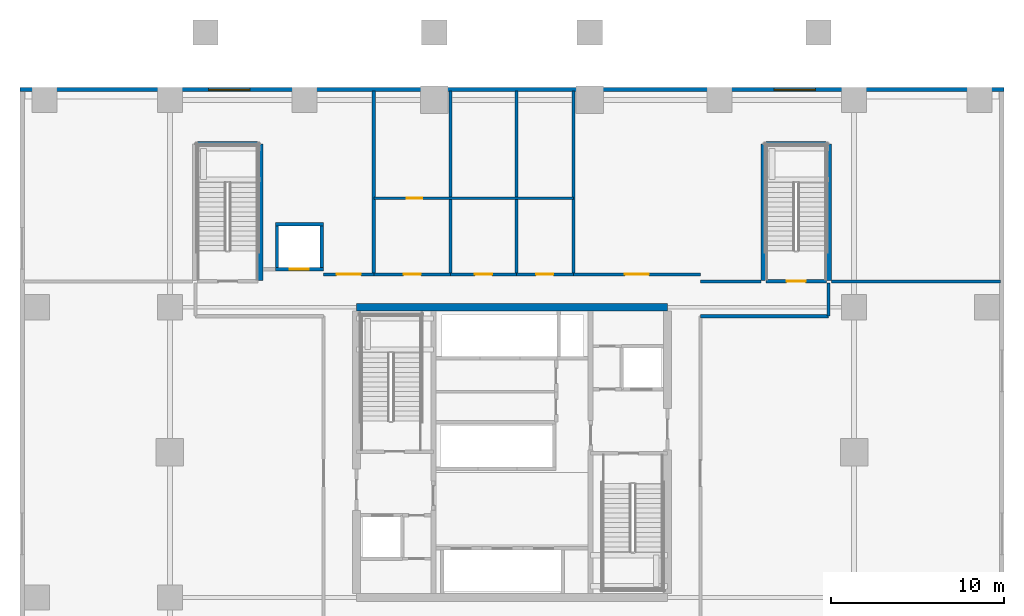
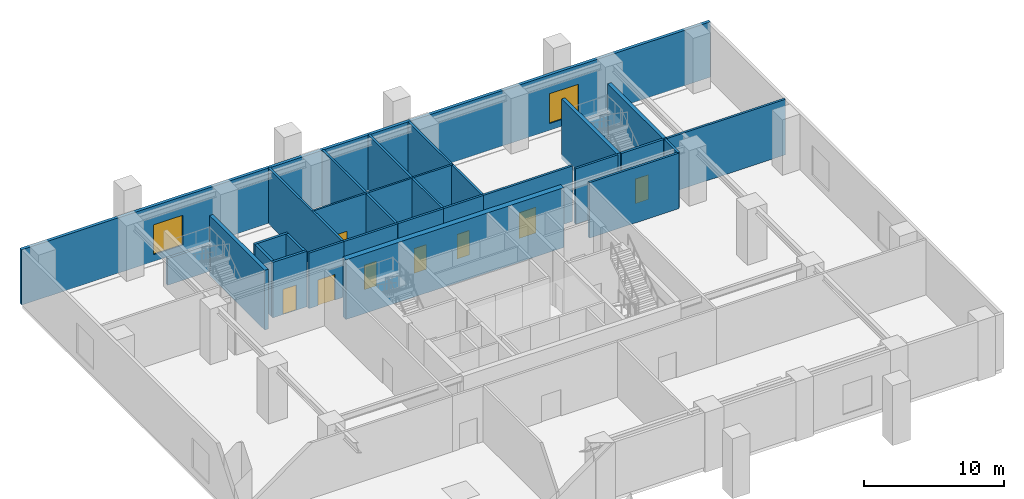
# One storey, part 4 of 12: 26 walls, 8 doors, 2 windows, 10 openings.
"""IFC4 building model written with IfcOpenShell, lengths in metres."""

from ifc_helpers import new_model, si_unit, direction, frame, frame_2d, origin, place, context, subcontext, project, spatial, rectangle, extrude, source, transform, mapped, material, layer, layer_set, type_object, element, fill, save


model = new_model("IFC4")

# Units and contexts
model_context = context("Model", 3, precision=1e-05, world=origin(), true_north=direction((0.0, 1.0)))
body_context = subcontext(model_context, "Body", "Model", "MODEL_VIEW")
ifc_project = project(units=[si_unit("LENGTHUNIT", "METRE"), si_unit("AREAUNIT", "SQUARE_METRE"), si_unit("VOLUMEUNIT", "CUBIC_METRE"), si_unit("PLANEANGLEUNIT", "RADIAN"), si_unit("MASSUNIT", "GRAM", prefix="KILO")], contexts=[model_context])

# Site, building, storey
site_placement = place(None, origin())
site = spatial("IfcSite", under=ifc_project, at=site_placement, CompositionType="ELEMENT")
building_placement = place(site_placement, origin())
building = spatial("IfcBuilding", under=site, at=building_placement, Name="Serunith Strait Residences", CompositionType="ELEMENT")
storey_placement = place(building_placement, frame((0.0, 0.0, 15.300048828125)))
storey = spatial("IfcBuildingStorey", under=building, at=storey_placement, Name="L03", CompositionType="ELEMENT", Elevation=15.300048828125)

# Wall, openings, windows
ifc_material_1 = material(Name="Pale-Silver Aluminium Terracotta-Backed Wall", Category="masonry")
ifc_layer_1 = layer(ifc_material_1, 0.25, Name="Pale-Silver Aluminium Terracotta-Backed Wall")
ifc_layer_set_1 = layer_set([ifc_layer_1], Name="Pale-Silver Aluminium Terracotta-Backed Wall")
wall_type_1 = type_object("IfcWallType", Name="EW-POD-250", PredefinedType="ELEMENTEDWALL", material=ifc_layer_set_1)
wall_1_placement = place(storey_placement, frame((60.875, 46.199951171875, 0.0), z_axis=(0.0, 0.0, 1.0), x_axis=(-1.0, 0.0, 0.0)))
wall_1 = element("IfcWall", 1, at=wall_1_placement, inside=storey, type_object=wall_type_1, Name="L03 Podium Envelope Wall 3", PredefinedType="ELEMENTEDWALL", context=body_context, shape_type="SweptSolid", body=[
    extrude(rectangle(XDim=56.949951171875, YDim=0.25, at=frame_2d((28.47509765625, 0.0))), origin(), (0.0, 0.0, 1.0), 4.8349609375),
])
opening_1_placement = place(wall_1_placement, frame((10.909912109375, 0.0, 0.60009765625)))
opening_1 = element("IfcOpeningElement", 2, at=opening_1_placement, cuts=wall_1, Name="Opening W-08", PredefinedType="OPENING", context=body_context, shape_type="SweptSolid", body=[
    extrude(rectangle(XDim=2.39990234375, YDim=2.60009765625, at=frame_2d((1.199951171875, 1.300048828125))), frame((0.0, 0.135009765625, 0.0), z_axis=(0.0, -1.0, 0.0), x_axis=(1.0, 0.0, 0.0)), (0.0, 0.0, 1.0), 0.27001953125),
])
opening_2_placement = place(wall_1_placement, frame((43.639892578125, 0.0, 0.60009765625)))
opening_2 = element("IfcOpeningElement", 3, at=opening_2_placement, cuts=wall_1, Name="Opening W-08", PredefinedType="OPENING", context=body_context, shape_type="SweptSolid", body=[
    extrude(rectangle(XDim=2.39990234375, YDim=2.60009765625, at=frame_2d((1.199951171875, 1.300048828125))), frame((0.0, 0.135009765625, 0.0), z_axis=(0.0, -1.0, 0.0), x_axis=(1.0, 0.0, 0.0)), (0.0, 0.0, 1.0), 0.27001953125),
])
ifc_material_2 = material(Name="Podium Club Operable Window Glass", Category="glass")
window_type = type_object("IfcWindowType", Name="WIN-POD2", PartitioningType="DOUBLE_PANEL_VERTICAL", PredefinedType="WINDOW", material=ifc_material_2)
shared_shape_1 = source(origin(), body_context, "Body", "SweptSolid", [
    extrude(rectangle(XDim=2.39990234375, YDim=2.60009765625, at=frame_2d((1.199951171875, 1.300048828125))), frame((0.0, 0.030029296875, 0.0), z_axis=(0.0, -1.0, 0.0), x_axis=(1.0, 0.0, 0.0)), (0.0, 0.0, 1.0), 0.06005859375),
])
window_1_placement = place(opening_1_placement, origin())
window_1 = element("IfcWindow", 4, at=window_1_placement, inside=storey, type_object=window_type, Name="L03 Podium Window 3A", OverallHeight=2.60009765625, OverallWidth=2.39990234375, PartitioningType="SINGLE_PANEL", PredefinedType="WINDOW", context=body_context, shape_type="MappedRepresentation", body=[
    mapped(shared_shape_1, transform((0.0, 0.0, 0.0), scale=1.0)),
])
fill(opening_1, window_1)
window_2_placement = place(opening_2_placement, origin())
window_2 = element("IfcWindow", 5, at=window_2_placement, inside=storey, type_object=window_type, Name="L03 Podium Window 3B", OverallHeight=2.60009765625, OverallWidth=2.39990234375, PartitioningType="SINGLE_PANEL", PredefinedType="WINDOW", context=body_context, shape_type="MappedRepresentation", body=[
    mapped(shared_shape_1, transform((0.0, 0.0, 0.0), scale=1.0)),
])
fill(opening_2, window_2)

# Wall, opening, door
ifc_material_3 = material(Name="Fire-rated masonry service closet wall", Category="masonry")
ifc_layer_2 = layer(ifc_material_3, 0.14990234375, Name="Fire-rated masonry service closet wall")
ifc_layer_set_2 = layer_set([ifc_layer_2], Name="Fire-rated masonry service closet wall")
wall_type_2 = type_object("IfcWallType", Name="IW-BOH-150", PredefinedType="PARTITIONING", material=ifc_layer_set_2)
wall_2_placement = place(storey_placement, frame((24.39990234375, 39.89990234375, 0.0), z_axis=(0.0, 0.0, 1.0), x_axis=(1.0, 0.0, 0.0)))
wall_2 = element("IfcWall", 6, at=wall_2_placement, inside=storey, type_object=wall_type_2, Name="L03 Partition Wall 043", PredefinedType="PARTITIONING", context=body_context, shape_type="SweptSolid", body=[
    extrude(rectangle(XDim=11.550048828125, YDim=0.14990234375, at=frame_2d((5.77490234375, 0.0))), origin(), (0.0, 0.0, 1.0), 4.849853515625),
])
opening_3_placement = place(wall_2_placement, frame((1.9169921875, 0.0, 0.0)))
opening_3 = element("IfcOpeningElement", 7, at=opening_3_placement, cuts=wall_2, Name="Opening FD-900", PredefinedType="OPENING", context=body_context, shape_type="SweptSolid", body=[
    extrude(rectangle(XDim=0.89990234375, YDim=2.10009765625, at=frame_2d((0.449951171875, 1.050048828125))), frame((0.0, 0.0849609375, 0.0), z_axis=(0.0, -1.0, 0.0), x_axis=(1.0, 0.0, 0.0)), (0.0, 0.0, 1.0), 0.169921875),
])
ifc_material_4 = material(Name="Powder-coated steel riser door", Category="steel")
door_type_1 = type_object("IfcDoorType", Name="FD-BOH-900", OperationType="NOTDEFINED", PredefinedType="DOOR", material=ifc_material_4)
shared_shape_2 = source(origin(), body_context, "Body", "SweptSolid", [
    extrude(rectangle(XDim=0.89990234375, YDim=2.10009765625, at=frame_2d((0.449951171875, 1.050048828125))), frame((0.0, 0.02490234375, 0.0), z_axis=(0.0, -1.0, 0.0), x_axis=(1.0, 0.0, 0.0)), (0.0, 0.0, 1.0), 0.050048828125),
])
door_1_placement = place(opening_3_placement, origin())
door_1 = element("IfcDoor", 8, at=door_1_placement, inside=storey, type_object=door_type_1, Name="L03 Linen Store Door", OperationType="SINGLE_SWING_LEFT", OverallHeight=2.10009765625, OverallWidth=0.89990234375, PredefinedType="DOOR", context=body_context, shape_type="MappedRepresentation", body=[
    mapped(shared_shape_2, transform((0.0, 0.0, 0.0), scale=1.0)),
])
fill(opening_3, door_1)

# Walls
ifc_material_5 = material(Name="Fire-rated acoustic gypsum partition")
ifc_layer_3 = layer(ifc_material_5, 0.179931640625, Name="Fire-rated acoustic gypsum partition")
ifc_layer_set_3 = layer_set([ifc_layer_3], Name="Fire-rated acoustic gypsum partition")
wall_type_3 = type_object("IfcWallType", Name="IW-CORR-180", PredefinedType="PARTITIONING", material=ifc_layer_set_3)
wall_3_placement = place(storey_placement, frame((43.300048828125, 35.080078125, 0.0), z_axis=(0.0, 0.0, 1.0), x_axis=(1.0, 0.0, 0.0)))
element("IfcWall", 9, at=wall_3_placement, inside=storey, type_object=wall_type_3, Name="L03 Partition Wall 022", PredefinedType="PARTITIONING", context=body_context, shape_type="SweptSolid", body=[
    extrude(rectangle(XDim=3.5, YDim=0.179931640625, at=frame_2d((1.75, 0.0))), origin(), (0.0, 0.0, 1.0), 4.849853515625),
])
wall_4_placement = place(storey_placement, frame((43.300048828125, 33.080078125, 0.0), z_axis=(0.0, 0.0, 1.0), x_axis=(1.0, 0.0, 0.0)))
element("IfcWall", 10, at=wall_4_placement, inside=storey, type_object=wall_type_3, Name="L03 Partition Wall 023", PredefinedType="PARTITIONING", context=body_context, shape_type="SweptSolid", body=[
    extrude(rectangle(XDim=7.419921875, YDim=0.179931640625, at=frame_2d((3.7099609375, 0.0))), origin(), (0.0, 0.0, 1.0), 4.849853515625),
])
wall_5_placement = place(storey_placement, frame((50.89990234375, 35.080078125, 0.0), z_axis=(0.0, 0.0, 1.0), x_axis=(1.0, 0.0, 0.0)))
element("IfcWall", 11, at=wall_5_placement, inside=storey, type_object=wall_type_3, Name="L03 Partition Wall 024", PredefinedType="PARTITIONING", context=body_context, shape_type="SweptSolid", body=[
    extrude(rectangle(XDim=9.76806640625, YDim=0.179931640625, at=frame_2d((4.884033203125, 0.0))), origin(), (0.0, 0.0, 1.0), 4.849853515625),
])
wall_6_placement = place(storey_placement, frame((50.719970703125, 33.080078125, 0.0), z_axis=(0.0, 0.0, 1.0), x_axis=(0.0, 1.0, 0.0)))
element("IfcWall", 12, at=wall_6_placement, inside=storey, type_object=wall_type_3, Name="L03 Partition Wall 026", PredefinedType="PARTITIONING", context=body_context, shape_type="SweptSolid", body=[
    extrude(rectangle(XDim=1.919921875, YDim=0.179931640625, at=frame_2d((0.9599609375, 0.0))), origin(), (0.0, 0.0, 1.0), 4.849853515625),
])
for number, where, z_axis, x_axis, name in (
    (13, (24.39990234375, 35.5, 0.0), (0.0, 0.0, 1.0), (0.0, 1.0, 0.0), "L03 Partition Wall 029"),
    (14, (28.85009765625, 35.5, 0.0), (0.0, 0.0, 1.0), (0.0, 1.0, 0.0), "L03 Partition Wall 030"),
    (15, (32.64990234375, 35.5, 0.0), (0.0, 0.0, 1.0), (0.0, 1.0, 0.0), "L03 Partition Wall 031"),
    (16, (35.949951171875, 35.5, 0.0), (0.0, 0.0, 1.0), (0.0, 1.0, 0.0), "L03 Partition Wall 032"),
):
    element("IfcWall", number, at=place(storey_placement, frame(where, z_axis=z_axis, x_axis=x_axis)), inside=storey, type_object=wall_type_3, Name=name, PredefinedType="PARTITIONING", context=body_context, shape_type="SweptSolid", body=[
        extrude(rectangle(XDim=10.617919921875, YDim=0.179931640625, at=frame_2d((5.30908203125, 0.0))), origin(), (0.0, 0.0, 1.0), 4.849853515625),
    ])

# Wall, opening, door
wall_7_placement = place(storey_placement, frame((21.5, 35.5, 0.0), z_axis=(0.0, 0.0, 1.0), x_axis=(1.0, 0.0, 0.0)))
wall_7 = element("IfcWall", 17, at=wall_7_placement, inside=storey, type_object=wall_type_3, Name="L03 Partition Wall 036", PredefinedType="PARTITIONING", context=body_context, shape_type="SweptSolid", body=[
    extrude(rectangle(XDim=2.89990234375, YDim=0.179931640625, at=frame_2d((1.449951171875, 0.0))), origin(), (0.0, 0.0, 1.0), 4.849853515625),
])
opening_4_placement = place(wall_7_placement, frame((0.75, 0.0, 0.0)))
opening_4 = element("IfcOpeningElement", 18, at=opening_4_placement, cuts=wall_7, Name="Opening D-POD1400", PredefinedType="OPENING", context=body_context, shape_type="SweptSolid", body=[
    extrude(rectangle(XDim=1.39990234375, YDim=2.25, at=frame_2d((0.699951171875, 1.125))), frame((0.0, 0.10009765625, 0.0), z_axis=(0.0, -1.0, 0.0), x_axis=(1.0, 0.0, 0.0)), (0.0, 0.0, 1.0), 0.199951171875),
])
ifc_material_6 = material(Name="Pale-champagne aluminium glazed suite door", Category="aluminium")
door_type_2 = type_object("IfcDoorType", Name="ID-POD-1400", OperationType="DOUBLE_DOOR_SINGLE_SWING", PredefinedType="DOOR", material=ifc_material_6)
shared_shape_3 = source(origin(), body_context, "Body", "SweptSolid", [
    extrude(rectangle(XDim=1.39990234375, YDim=2.25, at=frame_2d((0.699951171875, 1.125))), frame((0.0, 0.02490234375, 0.0), z_axis=(0.0, -1.0, 0.0), x_axis=(1.0, 0.0, 0.0)), (0.0, 0.0, 1.0), 0.050048828125),
])
door_2_placement = place(opening_4_placement, origin())
door_2 = element("IfcDoor", 19, at=door_2_placement, inside=storey, type_object=door_type_2, Name="L03 North-West Room Door", OperationType="DOUBLE_DOOR_SINGLE_SWING", OverallHeight=2.25, OverallWidth=1.39990234375, PredefinedType="DOOR", context=body_context, shape_type="MappedRepresentation", body=[
    mapped(shared_shape_3, transform((0.0, 0.0, 0.0), scale=1.0)),
])
fill(opening_4, door_2)

wall_8_placement = place(storey_placement, frame((24.402099609375, 35.5, 0.0), z_axis=(0.0, 0.0, 1.0), x_axis=(1.0, 0.0, 0.0)))
wall_8 = element("IfcWall", 20, at=wall_8_placement, inside=storey, type_object=wall_type_3, Name="L03 Partition Wall 037", PredefinedType="PARTITIONING", context=body_context, shape_type="SweptSolid", body=[
    extrude(rectangle(XDim=4.447998046875, YDim=0.179931640625, at=frame_2d((2.22412109375, 0.0))), origin(), (0.0, 0.0, 1.0), 4.849853515625),
])
opening_5_placement = place(wall_8_placement, frame((1.72412109375, 0.0, 0.0)))
opening_5 = element("IfcOpeningElement", 21, at=opening_5_placement, cuts=wall_8, Name="Opening D-APT1000", PredefinedType="OPENING", context=body_context, shape_type="SweptSolid", body=[
    extrude(rectangle(XDim=1.0, YDim=2.14990234375, at=frame_2d((0.5, 1.074951171875))), frame((0.0, 0.10009765625, 0.0), z_axis=(0.0, -1.0, 0.0), x_axis=(1.0, 0.0, 0.0)), (0.0, 0.0, 1.0), 0.199951171875),
])
ifc_material_7 = material(Name="Solid timber engineered fire door", Category="wood")
door_type_3 = type_object("IfcDoorType", Name="ID-APT-1000", OperationType="NOTDEFINED", PredefinedType="DOOR", material=ifc_material_7)
shared_shape_4 = source(origin(), body_context, "Body", "SweptSolid", [
    extrude(rectangle(XDim=1.0, YDim=2.14990234375, at=frame_2d((0.5, 1.074951171875))), frame((0.0, 0.02490234375, 0.0), z_axis=(0.0, -1.0, 0.0), x_axis=(1.0, 0.0, 0.0)), (0.0, 0.0, 1.0), 0.050048828125),
])
door_3_placement = place(opening_5_placement, origin())
door_3 = element("IfcDoor", 22, at=door_3_placement, inside=storey, type_object=door_type_3, Name="L03 Accessible WC Door", OperationType="SINGLE_SWING_LEFT", OverallHeight=2.14990234375, OverallWidth=1.0, PredefinedType="DOOR", context=body_context, shape_type="MappedRepresentation", body=[
    mapped(shared_shape_4, transform((0.0, 0.0, 0.0), scale=1.0)),
])
fill(opening_5, door_3)

wall_9_placement = place(storey_placement, frame((28.85205078125, 35.5, 0.0), z_axis=(0.0, 0.0, 1.0), x_axis=(1.0, 0.0, 0.0)))
wall_9 = element("IfcWall", 23, at=wall_9_placement, inside=storey, type_object=wall_type_3, Name="L03 Partition Wall 038", PredefinedType="PARTITIONING", context=body_context, shape_type="SweptSolid", body=[
    extrude(rectangle(XDim=3.7978515625, YDim=0.179931640625, at=frame_2d((1.89892578125, 0.0))), origin(), (0.0, 0.0, 1.0), 4.849853515625),
])
opening_6_placement = place(wall_9_placement, frame((1.39892578125, 0.0, 0.0)))
opening_6 = element("IfcOpeningElement", 24, at=opening_6_placement, cuts=wall_9, Name="Opening D-APT1000", PredefinedType="OPENING", context=body_context, shape_type="SweptSolid", body=[
    extrude(rectangle(XDim=1.0, YDim=2.14990234375, at=frame_2d((0.5, 1.074951171875))), frame((0.0, 0.10009765625, 0.0), z_axis=(0.0, -1.0, 0.0), x_axis=(1.0, 0.0, 0.0)), (0.0, 0.0, 1.0), 0.199951171875),
])
door_4_placement = place(opening_6_placement, origin())
door_4 = element("IfcDoor", 25, at=door_4_placement, inside=storey, type_object=door_type_3, Name="L03 Public Male WC Door", OperationType="SINGLE_SWING_RIGHT", OverallHeight=2.14990234375, OverallWidth=1.0, PredefinedType="DOOR", context=body_context, shape_type="MappedRepresentation", body=[
    mapped(shared_shape_4, transform((0.0, 0.0, 0.0), scale=1.0)),
])
fill(opening_6, door_4)

wall_10_placement = place(storey_placement, frame((32.652099609375, 35.5, 0.0), z_axis=(0.0, 0.0, 1.0), x_axis=(1.0, 0.0, 0.0)))
wall_10 = element("IfcWall", 26, at=wall_10_placement, inside=storey, type_object=wall_type_3, Name="L03 Partition Wall 039", PredefinedType="PARTITIONING", context=body_context, shape_type="SweptSolid", body=[
    extrude(rectangle(XDim=3.2978515625, YDim=0.179931640625, at=frame_2d((1.64892578125, 0.0))), origin(), (0.0, 0.0, 1.0), 4.849853515625),
])
opening_7_placement = place(wall_10_placement, frame((1.14892578125, 0.0, 0.0)))
opening_7 = element("IfcOpeningElement", 27, at=opening_7_placement, cuts=wall_10, Name="Opening D-APT1000", PredefinedType="OPENING", context=body_context, shape_type="SweptSolid", body=[
    extrude(rectangle(XDim=1.0, YDim=2.14990234375, at=frame_2d((0.5, 1.074951171875))), frame((0.0, 0.10009765625, 0.0), z_axis=(0.0, -1.0, 0.0), x_axis=(1.0, 0.0, 0.0)), (0.0, 0.0, 1.0), 0.199951171875),
])
door_5_placement = place(opening_7_placement, origin())
door_5 = element("IfcDoor", 28, at=door_5_placement, inside=storey, type_object=door_type_3, Name="L03 Public Female WC Door", OperationType="SINGLE_SWING_LEFT", OverallHeight=2.14990234375, OverallWidth=1.0, PredefinedType="DOOR", context=body_context, shape_type="MappedRepresentation", body=[
    mapped(shared_shape_4, transform((0.0, 0.0, 0.0), scale=1.0)),
])
fill(opening_7, door_5)

wall_11_placement = place(storey_placement, frame((35.951904296875, 35.5, 0.0), z_axis=(0.0, 0.0, 1.0), x_axis=(1.0, 0.0, 0.0)))
wall_11 = element("IfcWall", 29, at=wall_11_placement, inside=storey, type_object=wall_type_3, Name="L03 Partition Wall 040", PredefinedType="PARTITIONING", context=body_context, shape_type="SweptSolid", body=[
    extrude(rectangle(XDim=7.34814453125, YDim=0.179931640625, at=frame_2d((3.674072265625, 0.0))), origin(), (0.0, 0.0, 1.0), 4.849853515625),
])
opening_8_placement = place(wall_11_placement, frame((2.97412109375, 0.0, 0.0)))
opening_8 = element("IfcOpeningElement", 30, at=opening_8_placement, cuts=wall_11, Name="Opening D-POD1400", PredefinedType="OPENING", context=body_context, shape_type="SweptSolid", body=[
    extrude(rectangle(XDim=1.39990234375, YDim=2.25, at=frame_2d((0.699951171875, 1.125))), frame((0.0, 0.10009765625, 0.0), z_axis=(0.0, -1.0, 0.0), x_axis=(1.0, 0.0, 0.0)), (0.0, 0.0, 1.0), 0.199951171875),
])
door_6_placement = place(opening_8_placement, origin())
door_6 = element("IfcDoor", 31, at=door_6_placement, inside=storey, type_object=door_type_2, Name="L03 North-East Room Door", OperationType="DOUBLE_DOOR_SINGLE_SWING", OverallHeight=2.25, OverallWidth=1.39990234375, PredefinedType="DOOR", context=body_context, shape_type="MappedRepresentation", body=[
    mapped(shared_shape_3, transform((0.0, 0.0, 0.0), scale=1.0)),
])
fill(opening_8, door_6)

# Wall
ifc_material_8 = material(Name="Autoclaved aerated concrete blockwork", Category="masonry")
ifc_layer_4 = layer(ifc_material_8, 0.199951171875, Name="Autoclaved aerated concrete blockwork")
ifc_layer_set_4 = layer_set([ifc_layer_4], Name="Autoclaved aerated concrete blockwork")
wall_type_4 = type_object("IfcWallType", Name="IW-SHAFT-200", PredefinedType="STANDARD", material=ifc_layer_set_4)
wall_12_placement = place(storey_placement, frame((14.199951171875, 43.10009765625, 0.0), z_axis=(0.0, 0.0, 1.0), x_axis=(1.0, 0.0, 0.0)))
element("IfcWall", 32, at=wall_12_placement, inside=storey, type_object=wall_type_4, Name="L03 ST-3 North Shaft Wall", PredefinedType="STANDARD", context=body_context, shape_type="SweptSolid", body=[
    extrude(rectangle(XDim=3.5, YDim=0.199951171875, at=frame_2d((1.75, 0.0))), origin(), (0.0, 0.0, 1.0), 2.3349609375),
])

# Wall, opening, door
wall_13_placement = place(storey_placement, frame((47.10009765625, 35.10009765625, 0.0), z_axis=(0.0, 0.0, 1.0), x_axis=(1.0, 0.0, 0.0)))
wall_13 = element("IfcWall", 33, at=wall_13_placement, inside=storey, type_object=wall_type_4, Name="L03 ST-4 South Shaft Wall", PredefinedType="STANDARD", context=body_context, shape_type="SweptSolid", body=[
    extrude(rectangle(XDim=3.5, YDim=0.199951171875, at=frame_2d((1.75, 0.0))), origin(), (0.0, 0.0, 1.0), 4.849853515625),
])
opening_9_placement = place(wall_13_placement, frame((1.199951171875, 0.0, 0.0)))
opening_9 = element("IfcOpeningElement", 34, at=opening_9_placement, cuts=wall_13, Name="Opening FD-1100", PredefinedType="OPENING", context=body_context, shape_type="SweptSolid", body=[
    extrude(rectangle(XDim=1.10009765625, YDim=2.14990234375, at=frame_2d((0.550048828125, 1.074951171875))), frame((0.0, 0.10986328125, 0.0), z_axis=(0.0, -1.0, 0.0), x_axis=(1.0, 0.0, 0.0)), (0.0, 0.0, 1.0), 0.219970703125),
])
ifc_material_9 = material(Name="Galvanised steel fire door leaf", Category="steel")
door_type_4 = type_object("IfcDoorType", Name="FD-STAIR-1100", OperationType="NOTDEFINED", PredefinedType="DOOR", material=ifc_material_9)
shared_shape_5 = source(origin(), body_context, "Body", "SweptSolid", [
    extrude(rectangle(XDim=1.10009765625, YDim=2.14990234375, at=frame_2d((0.550048828125, 1.074951171875))), frame((0.0, 0.02490234375, 0.0), z_axis=(0.0, -1.0, 0.0), x_axis=(1.0, 0.0, 0.0)), (0.0, 0.0, 1.0), 0.050048828125),
])
door_7_placement = place(opening_9_placement, origin())
door_7 = element("IfcDoor", 35, at=door_7_placement, inside=storey, type_object=door_type_4, Name="L03 ST-4 Escape Stair Door", OperationType="SINGLE_SWING_RIGHT", OverallHeight=2.14990234375, OverallWidth=1.10009765625, PredefinedType="DOOR", context=body_context, shape_type="MappedRepresentation", body=[
    mapped(shared_shape_5, transform((0.0, 0.0, 0.0), scale=1.0)),
])
fill(opening_9, door_7)

# Wall
wall_14_placement = place(storey_placement, frame((47.10009765625, 43.10009765625, 0.0), z_axis=(0.0, 0.0, 1.0), x_axis=(1.0, 0.0, 0.0)))
element("IfcWall", 36, at=wall_14_placement, inside=storey, type_object=wall_type_4, Name="L03 ST-4 North Shaft Wall", PredefinedType="STANDARD", context=body_context, shape_type="SweptSolid", body=[
    extrude(rectangle(XDim=3.5, YDim=0.199951171875, at=frame_2d((1.75, 0.0))), origin(), (0.0, 0.0, 1.0), 2.3349609375),
])

# Wall, opening, door
wall_15_placement = place(storey_placement, frame((18.699951171875, 35.800048828125, 0.0), z_axis=(0.0, 0.0, 1.0), x_axis=(1.0, 0.0, 0.0)))
wall_15 = element("IfcWall", 37, at=wall_15_placement, inside=storey, type_object=wall_type_4, Name="L03 SV-1 South Shaft Wall", PredefinedType="STANDARD", context=body_context, shape_type="SweptSolid", body=[
    extrude(rectangle(XDim=2.800048828125, YDim=0.199951171875, at=frame_2d((1.39990234375, 0.0))), origin(), (0.0, 0.0, 1.0), 4.849853515625),
])
opening_10_placement = place(wall_15_placement, frame((0.85009765625, 0.0, 0.0)))
opening_10 = element("IfcOpeningElement", 38, at=opening_10_placement, cuts=wall_15, Name="Opening LD-1100", PredefinedType="OPENING", context=body_context, shape_type="SweptSolid", body=[
    extrude(rectangle(XDim=1.10009765625, YDim=2.199951171875, at=frame_2d((0.550048828125, 1.10009765625))), frame((0.0, 0.10986328125, 0.0), z_axis=(0.0, -1.0, 0.0), x_axis=(1.0, 0.0, 0.0)), (0.0, 0.0, 1.0), 0.219970703125),
])
ifc_material_10 = material(Name="Pale-champagne stainless landing door")
door_type_5 = type_object("IfcDoorType", Name="LD-LIFT-1100", OperationType="DOUBLE_DOOR_SLIDING", PredefinedType="DOOR", material=ifc_material_10)
shared_shape_6 = source(origin(), body_context, "Body", "SweptSolid", [
    extrude(rectangle(XDim=1.10009765625, YDim=2.199951171875, at=frame_2d((0.550048828125, 1.10009765625))), frame((0.0, 0.02490234375, 0.0), z_axis=(0.0, -1.0, 0.0), x_axis=(1.0, 0.0, 0.0)), (0.0, 0.0, 1.0), 0.050048828125),
])
door_8_placement = place(opening_10_placement, origin())
door_8 = element("IfcDoor", 39, at=door_8_placement, inside=storey, type_object=door_type_5, Name="L03 SV-1 Landing Door", OperationType="DOUBLE_DOOR_SLIDING", OverallHeight=2.199951171875, OverallWidth=1.10009765625, PredefinedType="DOOR", context=body_context, shape_type="MappedRepresentation", body=[
    mapped(shared_shape_6, transform((0.0, 0.0, 0.0), scale=1.0)),
])
fill(opening_10, door_8)

# Walls
for number, where, z_axis, x_axis, name in (
    (40, (18.800048828125, 35.89990234375, 0.0), (0.0, 0.0, 1.0), (0.0, 1.0, 0.0), "L03 SV-1 West Shaft Wall"),
    (41, (21.39990234375, 35.89990234375, 0.0), (0.0, 0.0, 1.0), (0.0, 1.0, 0.0), "L03 SV-1 East Shaft Wall"),
):
    element("IfcWall", number, at=place(storey_placement, frame(where, z_axis=z_axis, x_axis=x_axis)), inside=storey, type_object=wall_type_4, Name=name, PredefinedType="STANDARD", context=body_context, shape_type="SweptSolid", body=[
        extrude(rectangle(XDim=2.400146484375, YDim=0.199951171875, at=frame_2d((1.2001953125, 0.0))), origin(), (0.0, 0.0, 1.0), 4.849853515625),
    ])
wall_16_placement = place(storey_placement, frame((18.699951171875, 38.39990234375, 0.0), z_axis=(0.0, 0.0, 1.0), x_axis=(1.0, 0.0, 0.0)))
element("IfcWall", 42, at=wall_16_placement, inside=storey, type_object=wall_type_4, Name="L03 SV-1 North Shaft Wall", PredefinedType="STANDARD", context=body_context, shape_type="SweptSolid", body=[
    extrude(rectangle(XDim=2.800048828125, YDim=0.199951171875, at=frame_2d((1.39990234375, 0.0))), origin(), (0.0, 0.0, 1.0), 4.849853515625),
])
ifc_material_11 = material(Name="Concrete C60/75", Category="concrete")
ifc_layer_5 = layer(ifc_material_11, 0.300048828125, Name="Concrete C60/75")
ifc_layer_set_5 = layer_set([ifc_layer_5], Name="Concrete C60/75")
wall_type_5 = type_object("IfcWallType", Name="SW-300-C60", PredefinedType="SHEAR", material=ifc_layer_set_5)
for number, where, z_axis, x_axis, name in (
    (43, (17.85009765625, 35.14990234375, -0.380126953125), (0.0, 0.0, 1.0), (0.0, 1.0, 0.0), "L03 ST-3 East Structural Shaft Wall"),
    (44, (46.949951171875, 35.14990234375, -0.380126953125), (0.0, 0.0, 1.0), (0.0, 1.0, 0.0), "L03 ST-4 West Structural Shaft Wall"),
    (45, (50.75, 35.14990234375, -0.380126953125), (0.0, 0.0, 1.0), (0.0, 1.0, 0.0), "L03 ST-4 East Structural Shaft Wall"),
):
    element("IfcWall", number, at=place(storey_placement, frame(where, z_axis=z_axis, x_axis=x_axis)), inside=storey, type_object=wall_type_5, Name=name, PredefinedType="SHEAR", context=body_context, shape_type="SweptSolid", body=[
        extrude(rectangle(XDim=7.900146484375, YDim=0.300048828125, at=frame_2d((3.9501953125, 0.0))), origin(), (0.0, 0.0, 1.0), 5.22802734375),
    ])
ifc_material_12 = material(Name="Concrete C80/95", Category="concrete")
ifc_layer_6 = layer(ifc_material_12, 0.449951171875, Name="Concrete C80/95")
ifc_layer_set_6 = layer_set([ifc_layer_6], Name="Concrete C80/95")
wall_type_6 = type_object("IfcWallType", Name="SW-450-C80", PredefinedType="SHEAR", material=ifc_layer_set_6)
wall_17_placement = place(storey_placement, frame((41.39990234375, 33.60009765625, -0.380126953125), z_axis=(0.0, 0.0, 1.0), x_axis=(-1.0, 0.0, 0.0)))
element("IfcWall", 46, at=wall_17_placement, inside=storey, type_object=wall_type_6, Name="L03 Core North Shear Wall", PredefinedType="SHEAR", context=body_context, shape_type="SweptSolid", body=[
    extrude(rectangle(XDim=18.0, YDim=0.449951171875, at=frame_2d((9.0, 0.0))), origin(), (0.0, 0.0, 1.0), 5.22802734375),
])

save(model, "model.ifc")
